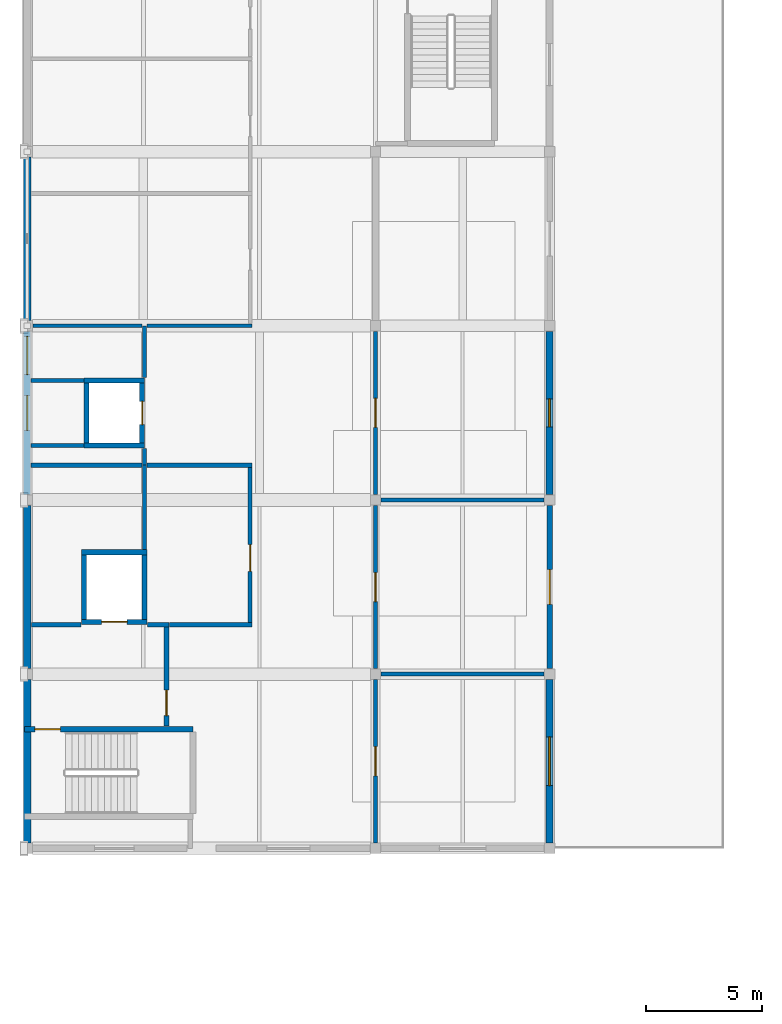
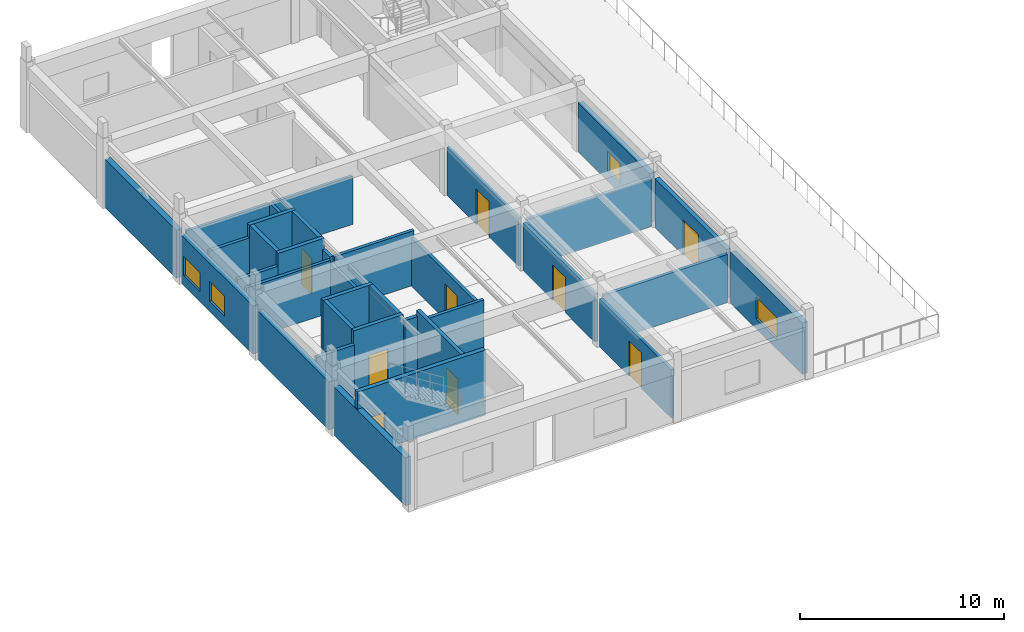
# One storey, part 36 of 51: 35 walls, 9 doors, 4 windows, 13 openings.
"""IFC4 building model written with IfcOpenShell, lengths in metres."""

from ifc_helpers import new_model, si_unit, direction, frame, frame_2d, origin, place, context, subcontext, project, spatial, rectangle, extrude, material, layer, layer_set, type_object, element, fill, save


model = new_model("IFC4")

# Units and contexts
model_context = context("Model", 3, precision=1e-05, world=origin(), true_north=direction((0.0, 1.0)))
body_context = subcontext(model_context, "Body", "Model", "MODEL_VIEW")
ifc_project = project(units=[si_unit("LENGTHUNIT", "METRE"), si_unit("AREAUNIT", "SQUARE_METRE"), si_unit("VOLUMEUNIT", "CUBIC_METRE"), si_unit("PLANEANGLEUNIT", "RADIAN"), si_unit("MASSUNIT", "GRAM", prefix="KILO")], contexts=[model_context])

# Site, building, storey
site_placement = place(None, origin())
site = spatial("IfcSite", under=ifc_project, at=site_placement, CompositionType="ELEMENT")
building_placement = place(site_placement, origin())
building = spatial("IfcBuilding", under=site, at=building_placement, Name="Qasida Concert Hall", CompositionType="ELEMENT")
storey_placement = place(building_placement, frame((0.0, 0.0, 21.0)))
storey = spatial("IfcBuildingStorey", under=building, at=storey_placement, Name="L05", CompositionType="ELEMENT", Elevation=21.0)

# Walls
ifc_material_1 = material(Name="Concrete C40/50", Category="concrete")
ifc_layer_1 = layer(ifc_material_1, 0.219970703125, Name="Concrete C40/50")
ifc_layer_set_1 = layer_set([ifc_layer_1], Name="Concrete C40/50")
wall_type_1 = type_object("IfcWallType", Name="WL-CW-220", PredefinedType="SOLIDWALL", material=ifc_layer_set_1)
for number, where, z_axis, x_axis, name in (
    (1, (2.43994140625, 92.35009765625, 0.0), (0.0, 0.0, 1.0), (1.0, 0.0, 0.0), "L05 LF-07 lift shaft wall S"),
    (2, (2.43994140625, 95.14990234375, 0.0), (0.0, 0.0, 1.0), (1.0, 0.0, 0.0), "L05 LF-07 lift shaft wall N"),
):
    element("IfcWall", number, at=place(storey_placement, frame(where, z_axis=z_axis, x_axis=x_axis)), inside=storey, type_object=wall_type_1, Name=name, PredefinedType="SOLIDWALL", context=body_context, shape_type="SweptSolid", body=[
        extrude(rectangle(XDim=2.6201171875, YDim=0.219970703125, at=frame_2d((1.31005859375, 0.0))), origin(), (0.0, 0.0, 1.0), 3.919921875),
    ])
wall_1_placement = place(storey_placement, frame((2.550048828125, 92.4599609375, 0.0), z_axis=(0.0, 0.0, 1.0), x_axis=(0.0, 1.0, 0.0)))
element("IfcWall", 3, at=wall_1_placement, inside=storey, type_object=wall_type_1, Name="L05 LF-07 lift shaft wall W", PredefinedType="SOLIDWALL", context=body_context, shape_type="SweptSolid", body=[
    extrude(rectangle(XDim=2.580078125, YDim=0.219970703125, at=frame_2d((1.2900390625, 0.0))), origin(), (0.0, 0.0, 1.0), 3.919921875),
])

# Wall, opening, door
wall_2_placement = place(storey_placement, frame((4.949951171875, 92.4599609375, 0.0), z_axis=(0.0, 0.0, 1.0), x_axis=(0.0, 1.0, 0.0)))
wall_2 = element("IfcWall", 4, at=wall_2_placement, inside=storey, type_object=wall_type_1, Name="L05 LF-07 lift shaft wall E", PredefinedType="SOLIDWALL", context=body_context, shape_type="SweptSolid", body=[
    extrude(rectangle(XDim=2.580078125, YDim=0.219970703125, at=frame_2d((1.2900390625, 0.0))), origin(), (0.0, 0.0, 1.0), 3.919921875),
])
opening_1_placement = place(wall_2_placement, frame((0.7900390625, 0.0, 0.0)))
opening_1 = element("IfcOpeningElement", 5, at=opening_1_placement, cuts=wall_2, Name="Opening LD-100", PredefinedType="OPENING", context=body_context, shape_type="SweptSolid", body=[
    extrude(rectangle(XDim=1.0, YDim=2.14990234375, at=frame_2d((0.5, 1.074951171875))), frame((0.0, 0.119873046875, 0.0), z_axis=(0.0, -1.0, 0.0), x_axis=(1.0, 0.0, 0.0)), (0.0, 0.0, 1.0), 0.239990234375),
])
ifc_material_2 = material(Name="Brushed bronze passenger lift landing door", Category="steel")
door_type_1 = type_object("IfcDoorType", Name="LD-100", OperationType="SLIDING_TO_LEFT", PredefinedType="DOOR", material=ifc_material_2)
door_1_placement = place(opening_1_placement, origin())
door_1 = element("IfcDoor", 6, at=door_1_placement, inside=storey, type_object=door_type_1, Name="Lift landing door LF-07 L05", OperationType="SLIDING_TO_LEFT", OverallHeight=2.14990234375, OverallWidth=1.0, PredefinedType="DOOR", context=body_context, shape_type="SweptSolid", body=[
    extrude(rectangle(XDim=1.0, YDim=2.14990234375, at=frame_2d((0.5, 1.074951171875))), frame((0.0, 0.02490234375, 0.0), z_axis=(0.0, -1.0, 0.0), x_axis=(1.0, 0.0, 0.0)), (0.0, 0.0, 1.0), 0.050048828125),
])
fill(opening_1, door_1)

wall_3_placement = place(storey_placement, frame((2.340087890625, 84.75, 0.0), z_axis=(0.0, 0.0, 1.0), x_axis=(1.0, 0.0, 0.0)))
wall_3 = element("IfcWall", 7, at=wall_3_placement, inside=storey, type_object=wall_type_1, Name="L05 LF-08 lift shaft wall S", PredefinedType="SOLIDWALL", context=body_context, shape_type="SweptSolid", body=[
    extrude(rectangle(XDim=2.81982421875, YDim=0.219970703125, at=frame_2d((1.409912109375, 0.0))), origin(), (0.0, 0.0, 1.0), 3.919921875),
])
opening_2_placement = place(wall_3_placement, frame((0.860107421875, 0.0, 0.0)))
opening_2 = element("IfcOpeningElement", 8, at=opening_2_placement, cuts=wall_3, Name="Opening LD-110", PredefinedType="OPENING", context=body_context, shape_type="SweptSolid", body=[
    extrude(rectangle(XDim=1.10009765625, YDim=2.14990234375, at=frame_2d((0.550048828125, 1.074951171875))), frame((0.0, 0.119873046875, 0.0), z_axis=(0.0, -1.0, 0.0), x_axis=(1.0, 0.0, 0.0)), (0.0, 0.0, 1.0), 0.239990234375),
])
ifc_material_3 = material(Name="Firefighting lift sliding landing door", Category="steel")
door_type_2 = type_object("IfcDoorType", Name="LD-110", OperationType="SLIDING_TO_LEFT", PredefinedType="DOOR", material=ifc_material_3)
door_2_placement = place(opening_2_placement, origin())
door_2 = element("IfcDoor", 9, at=door_2_placement, inside=storey, type_object=door_type_2, Name="Lift landing door LF-08 L05", OperationType="SLIDING_TO_LEFT", OverallHeight=2.14990234375, OverallWidth=1.10009765625, PredefinedType="DOOR", context=body_context, shape_type="SweptSolid", body=[
    extrude(rectangle(XDim=1.10009765625, YDim=2.14990234375, at=frame_2d((0.550048828125, 1.074951171875))), frame((0.0, 0.02490234375, 0.0), z_axis=(0.0, -1.0, 0.0), x_axis=(1.0, 0.0, 0.0)), (0.0, 0.0, 1.0), 0.050048828125),
])
fill(opening_2, door_2)

# Walls
wall_4_placement = place(storey_placement, frame((2.340087890625, 87.75, 0.0), z_axis=(0.0, 0.0, 1.0), x_axis=(1.0, 0.0, 0.0)))
element("IfcWall", 10, at=wall_4_placement, inside=storey, type_object=wall_type_1, Name="L05 LF-08 lift shaft wall N", PredefinedType="SOLIDWALL", context=body_context, shape_type="SweptSolid", body=[
    extrude(rectangle(XDim=2.81982421875, YDim=0.219970703125, at=frame_2d((1.409912109375, 0.0))), origin(), (0.0, 0.0, 1.0), 3.919921875),
])
for number, where, z_axis, x_axis, name in (
    (11, (2.449951171875, 84.860107421875, 0.0), (0.0, 0.0, 1.0), (0.0, 1.0, 0.0), "L05 LF-08 lift shaft wall W"),
    (12, (5.050048828125, 84.860107421875, 0.0), (0.0, 0.0, 1.0), (0.0, 1.0, 0.0), "L05 LF-08 lift shaft wall E"),
):
    element("IfcWall", number, at=place(storey_placement, frame(where, z_axis=z_axis, x_axis=x_axis)), inside=storey, type_object=wall_type_1, Name=name, PredefinedType="SOLIDWALL", context=body_context, shape_type="SweptSolid", body=[
        extrude(rectangle(XDim=2.77978515625, YDim=0.219970703125, at=frame_2d((1.389892578125, 0.0))), origin(), (0.0, 0.0, 1.0), 3.919921875),
    ])

# Wall, opening, door
wall_5_placement = place(storey_placement, frame((6.0, 80.260009765625, 0.0), z_axis=(0.0, 0.0, 1.0), x_axis=(0.0, 1.0, 0.0)))
wall_5 = element("IfcWall", 13, at=wall_5_placement, inside=storey, type_object=wall_type_1, Name="L05 LF-08 firefighting lobby wall", PredefinedType="SOLIDWALL", context=body_context, shape_type="SweptSolid", body=[
    extrude(rectangle(XDim=4.369873046875, YDim=0.219970703125, at=frame_2d((2.18505859375, 0.0))), origin(), (0.0, 0.0, 1.0), 3.919921875),
])
opening_3_placement = place(wall_5_placement, frame((0.449951171875, 0.0, 0.0)))
opening_3 = element("IfcOpeningElement", 14, at=opening_3_placement, cuts=wall_5, Name="Opening FD-110", PredefinedType="OPENING", context=body_context, shape_type="SweptSolid", body=[
    extrude(rectangle(XDim=1.10009765625, YDim=2.14990234375, at=frame_2d((0.550048828125, 1.074951171875))), frame((0.0, 0.119873046875, 0.0), z_axis=(0.0, -1.0, 0.0), x_axis=(1.0, 0.0, 0.0)), (0.0, 0.0, 1.0), 0.239990234375),
])
ifc_material_4 = material(Name="Steel fire-rated stair/lobby door set", Category="steel")
door_type_3 = type_object("IfcDoorType", Name="FD-110", OperationType="NOTDEFINED", PredefinedType="DOOR", material=ifc_material_4)
door_3_placement = place(opening_3_placement, origin())
door_3 = element("IfcDoor", 15, at=door_3_placement, inside=storey, type_object=door_type_3, Name="L05 LF-08 firefighting lobby fire door", OperationType="SINGLE_SWING_RIGHT", OverallHeight=2.14990234375, OverallWidth=1.10009765625, PredefinedType="DOOR", context=body_context, shape_type="SweptSolid", body=[
    extrude(rectangle(XDim=1.10009765625, YDim=2.14990234375, at=frame_2d((0.550048828125, 1.074951171875))), frame((0.0, 0.02490234375, 0.0), z_axis=(0.0, -1.0, 0.0), x_axis=(1.0, 0.0, 0.0)), (0.0, 0.0, 1.0), 0.050048828125),
])
fill(opening_3, door_3)

ifc_layer_2 = layer(ifc_material_1, 0.25, Name="Concrete C40/50")
ifc_layer_set_2 = layer_set([ifc_layer_2], Name="Concrete C40/50")
wall_type_2 = type_object("IfcWallType", Name="WL-CW-250", PredefinedType="SOLIDWALL", material=ifc_layer_set_2)
wall_6_placement = place(storey_placement, frame((-0.1201171875, 80.125, 0.0), z_axis=(0.0, 0.0, 1.0), x_axis=(1.0, 0.0, 0.0)))
wall_6 = element("IfcWall", 16, at=wall_6_placement, inside=storey, type_object=wall_type_2, Name="L05 ST-05 stairwell wall N", PredefinedType="SOLIDWALL", context=body_context, shape_type="SweptSolid", body=[
    extrude(rectangle(XDim=7.260009765625, YDim=0.25, at=frame_2d((3.6298828125, 0.0))), origin(), (0.0, 0.0, 1.0), 3.919921875),
])
opening_4_placement = place(wall_6_placement, frame((0.449951171875, 0.0, 0.0)))
opening_4 = element("IfcOpeningElement", 17, at=opening_4_placement, cuts=wall_6, Name="Opening FD-110", PredefinedType="OPENING", context=body_context, shape_type="SweptSolid", body=[
    extrude(rectangle(XDim=1.10009765625, YDim=2.14990234375, at=frame_2d((0.550048828125, 1.074951171875))), frame((0.0, 0.135009765625, 0.0), z_axis=(0.0, -1.0, 0.0), x_axis=(1.0, 0.0, 0.0)), (0.0, 0.0, 1.0), 0.27001953125),
])
door_4_placement = place(opening_4_placement, origin())
door_4 = element("IfcDoor", 18, at=door_4_placement, inside=storey, type_object=door_type_3, Name="L05 ST-05 rated stair door", OperationType="SINGLE_SWING_LEFT", OverallHeight=2.14990234375, OverallWidth=1.10009765625, PredefinedType="DOOR", context=body_context, shape_type="SweptSolid", body=[
    extrude(rectangle(XDim=1.10009765625, YDim=2.14990234375, at=frame_2d((0.550048828125, 1.074951171875))), frame((0.0, 0.02490234375, 0.0), z_axis=(0.0, -1.0, 0.0), x_axis=(1.0, 0.0, 0.0)), (0.0, 0.0, 1.0), 0.050048828125),
])
fill(opening_4, door_4)

ifc_material_5 = material(Name="Precast concrete C40/50", Category="concrete")
ifc_layer_3 = layer(ifc_material_5, 0.239990234375, Name="Precast concrete C40/50")
ifc_layer_set_3 = layer_set([ifc_layer_3], Name="Precast concrete C40/50")
wall_type_3 = type_object("IfcWallType", Name="WL-EW-240", PredefinedType="SOLIDWALL", material=ifc_layer_set_3)
wall_7_placement = place(storey_placement, frame((22.5, 82.735107421875, 0.0), z_axis=(0.0, 0.0, 1.0), x_axis=(0.0, 1.0, 0.0)))
wall_7 = element("IfcWall", 19, at=wall_7_placement, inside=storey, type_object=wall_type_3, Name="L05 exterior wall EW-240 0319", PredefinedType="SOLIDWALL", context=body_context, shape_type="SweptSolid", body=[
    extrude(rectangle(XDim=7.02978515625, YDim=0.239990234375, at=frame_2d((3.514892578125, 0.0))), origin(), (0.0, 0.0, 1.0), 2.93994140625),
])
opening_5_placement = place(wall_7_placement, frame((2.764892578125, 0.0, 0.0)))
opening_5 = element("IfcOpeningElement", 20, at=opening_5_placement, cuts=wall_7, Name="Opening TD-150", PredefinedType="OPENING", context=body_context, shape_type="SweptSolid", body=[
    extrude(rectangle(XDim=1.5, YDim=2.14990234375, at=frame_2d((0.75, 1.074951171875))), frame((0.0, 0.1298828125, 0.0), z_axis=(0.0, -1.0, 0.0), x_axis=(1.0, 0.0, 0.0)), (0.0, 0.0, 1.0), 0.260009765625),
])
ifc_material_6 = material(Name="Patinated architectural bronze and laminated safety glass", Category="glass")
door_type_4 = type_object("IfcDoorType", Name="TD-150", OperationType="NOTDEFINED", PredefinedType="DOOR", material=ifc_material_6)
door_5_placement = place(opening_5_placement, frame((1.5, 0.0, 0.0), z_axis=(0.0, 0.0, 1.0), x_axis=(-1.0, 0.0, 0.0)))
door_5 = element("IfcDoor", 21, at=door_5_placement, inside=storey, type_object=door_type_4, Name="L05 west wing roof garden terrace door 1", OperationType="SINGLE_SWING_LEFT", OverallHeight=2.14990234375, OverallWidth=1.5, PredefinedType="DOOR", context=body_context, shape_type="SweptSolid", body=[
    extrude(rectangle(XDim=1.5, YDim=2.14990234375, at=frame_2d((0.75, 1.074951171875))), frame((0.0, 0.02490234375, 0.0), z_axis=(0.0, -1.0, 0.0), x_axis=(1.0, 0.0, 0.0)), (0.0, 0.0, 1.0), 0.050048828125),
])
fill(opening_5, door_5)

# Wall, opening, window
ifc_layer_4 = layer(ifc_material_5, 0.300048828125, Name="Precast concrete C40/50")
ifc_layer_set_4 = layer_set([ifc_layer_4], Name="Precast concrete C40/50")
wall_type_4 = type_object("IfcWallType", Name="WL-EW-300", PredefinedType="SOLIDWALL", material=ifc_layer_set_4)
wall_8_placement = place(storey_placement, frame((22.5, 75.235107421875, 0.0), z_axis=(0.0, 0.0, 1.0), x_axis=(0.0, 1.0, 0.0)))
wall_8 = element("IfcWall", 22, at=wall_8_placement, inside=storey, type_object=wall_type_4, Name="L05 exterior wall EW-300 0317", PredefinedType="SOLIDWALL", context=body_context, shape_type="SweptSolid", body=[
    extrude(rectangle(XDim=7.02978515625, YDim=0.300048828125, at=frame_2d((3.514892578125, 0.0))), origin(), (0.0, 0.0, 1.0), 3.090087890625),
])
opening_6_placement = place(wall_8_placement, frame((2.465087890625, 0.0, 0.60009765625)))
opening_6 = element("IfcOpeningElement", 23, at=opening_6_placement, cuts=wall_8, Name="Opening WN-15", PredefinedType="OPENING", context=body_context, shape_type="SweptSolid", body=[
    extrude(rectangle(XDim=2.10009765625, YDim=1.300048828125, at=frame_2d((1.050048828125, 0.64990234375))), frame((0.0, 0.159912109375, 0.0), z_axis=(0.0, -1.0, 0.0), x_axis=(1.0, 0.0, 0.0)), (0.0, 0.0, 1.0), 0.320068359375),
])
ifc_material_7 = material(Name="Bronze-anodized aluminium frame with acoustic low-E glazing", Category="aluminium")
window_type_1 = type_object("IfcWindowType", Name="WN-15", PartitioningType="SINGLE_PANEL", PredefinedType="WINDOW", material=ifc_material_7)
window_1_placement = place(opening_6_placement, origin())
window_1 = element("IfcWindow", 24, at=window_1_placement, inside=storey, type_object=window_type_1, Name="L05 window WN-15 0176", OverallHeight=1.300048828125, OverallWidth=2.10009765625, PartitioningType="SINGLE_PANEL", PredefinedType="WINDOW", context=body_context, shape_type="SweptSolid", body=[
    extrude(rectangle(XDim=2.10009765625, YDim=1.300048828125, at=frame_2d((1.050048828125, 0.64990234375))), frame((0.0, 0.030029296875, 0.0), z_axis=(0.0, -1.0, 0.0), x_axis=(1.0, 0.0, 0.0)), (0.0, 0.0, 1.0), 0.06005859375),
])
fill(opening_6, window_1)

# Wall, openings, windows
wall_9_placement = place(storey_placement, frame((0.0, 90.235107421875, 0.0), z_axis=(0.0, 0.0, 1.0), x_axis=(0.0, 1.0, 0.0)))
wall_9 = element("IfcWall", 25, at=wall_9_placement, inside=storey, type_object=wall_type_4, Name="L05 exterior wall EW-300 0320", PredefinedType="SOLIDWALL", context=body_context, shape_type="SweptSolid", body=[
    extrude(rectangle(XDim=7.02978515625, YDim=0.300048828125, at=frame_2d((3.514892578125, 0.0))), origin(), (0.0, 0.0, 1.0), 2.889892578125),
])
opening_7_placement = place(wall_9_placement, frame((2.764892578125, 0.0, 0.60009765625)))
opening_7 = element("IfcOpeningElement", 26, at=opening_7_placement, cuts=wall_9, Name="Opening WN-18", PredefinedType="OPENING", context=body_context, shape_type="SweptSolid", body=[
    extrude(rectangle(XDim=1.5, YDim=1.199951171875, at=frame_2d((0.75, 0.60009765625))), frame((0.0, 0.159912109375, 0.0), z_axis=(0.0, -1.0, 0.0), x_axis=(1.0, 0.0, 0.0)), (0.0, 0.0, 1.0), 0.320068359375),
])
opening_8_placement = place(wall_9_placement, frame((5.16259765625, 0.0, 0.60009765625)))
opening_8 = element("IfcOpeningElement", 27, at=opening_8_placement, cuts=wall_9, Name="Opening WN-24", PredefinedType="OPENING", context=body_context, shape_type="SweptSolid", body=[
    extrude(rectangle(XDim=1.64990234375, YDim=1.14990234375, at=frame_2d((0.824951171875, 0.574951171875))), frame((0.0, 0.159912109375, 0.0), z_axis=(0.0, -1.0, 0.0), x_axis=(1.0, 0.0, 0.0)), (0.0, 0.0, 1.0), 0.320068359375),
])
window_type_2 = type_object("IfcWindowType", Name="WN-18", PartitioningType="SINGLE_PANEL", PredefinedType="WINDOW", material=ifc_material_7)
window_2_placement = place(opening_7_placement, origin())
window_2 = element("IfcWindow", 28, at=window_2_placement, inside=storey, type_object=window_type_2, Name="L05 window WN-18 0177", OverallHeight=1.199951171875, OverallWidth=1.5, PartitioningType="SINGLE_PANEL", PredefinedType="WINDOW", context=body_context, shape_type="SweptSolid", body=[
    extrude(rectangle(XDim=1.5, YDim=1.199951171875, at=frame_2d((0.75, 0.60009765625))), frame((0.0, 0.030029296875, 0.0), z_axis=(0.0, -1.0, 0.0), x_axis=(1.0, 0.0, 0.0)), (0.0, 0.0, 1.0), 0.06005859375),
])
fill(opening_7, window_2)
window_type_3 = type_object("IfcWindowType", Name="WN-24", PartitioningType="SINGLE_PANEL", PredefinedType="WINDOW", material=ifc_material_7)
window_3_placement = place(opening_8_placement, origin())
window_3 = element("IfcWindow", 29, at=window_3_placement, inside=storey, type_object=window_type_3, Name="L05 window WN-24 0178", OverallHeight=1.14990234375, OverallWidth=1.64990234375, PartitioningType="SINGLE_PANEL", PredefinedType="WINDOW", context=body_context, shape_type="SweptSolid", body=[
    extrude(rectangle(XDim=1.64990234375, YDim=1.14990234375, at=frame_2d((0.824951171875, 0.574951171875))), frame((0.0, 0.030029296875, 0.0), z_axis=(0.0, -1.0, 0.0), x_axis=(1.0, 0.0, 0.0)), (0.0, 0.0, 1.0), 0.06005859375),
])
fill(opening_8, window_3)

# Wall, opening, window
wall_10_placement = place(storey_placement, frame((22.5, 90.235107421875, 0.0), z_axis=(0.0, 0.0, 1.0), x_axis=(0.0, 1.0, 0.0)))
wall_10 = element("IfcWall", 30, at=wall_10_placement, inside=storey, type_object=wall_type_4, Name="L05 exterior wall EW-300 0321", PredefinedType="SOLIDWALL", context=body_context, shape_type="SweptSolid", body=[
    extrude(rectangle(XDim=7.02978515625, YDim=0.300048828125, at=frame_2d((3.514892578125, 0.0))), origin(), (0.0, 0.0, 1.0), 2.93994140625),
])
opening_9_placement = place(wall_10_placement, frame((2.9150390625, 0.0, 0.60009765625)))
opening_9 = element("IfcOpeningElement", 31, at=opening_9_placement, cuts=wall_10, Name="Opening WN-17", PredefinedType="OPENING", context=body_context, shape_type="SweptSolid", body=[
    extrude(rectangle(XDim=1.199951171875, YDim=1.199951171875, at=frame_2d((0.60009765625, 0.60009765625))), frame((0.0, 0.159912109375, 0.0), z_axis=(0.0, -1.0, 0.0), x_axis=(1.0, 0.0, 0.0)), (0.0, 0.0, 1.0), 0.320068359375),
])
window_type_4 = type_object("IfcWindowType", Name="WN-17", PartitioningType="SINGLE_PANEL", PredefinedType="WINDOW", material=ifc_material_7)
window_4_placement = place(opening_9_placement, origin())
window_4 = element("IfcWindow", 32, at=window_4_placement, inside=storey, type_object=window_type_4, Name="L05 window WN-17 0179", OverallHeight=1.199951171875, OverallWidth=1.199951171875, PartitioningType="SINGLE_PANEL", PredefinedType="WINDOW", context=body_context, shape_type="SweptSolid", body=[
    extrude(rectangle(XDim=1.199951171875, YDim=1.199951171875, at=frame_2d((0.60009765625, 0.60009765625))), frame((0.0, 0.030029296875, 0.0), z_axis=(0.0, -1.0, 0.0), x_axis=(1.0, 0.0, 0.0)), (0.0, 0.0, 1.0), 0.06005859375),
])
fill(opening_9, window_4)

# Walls
ifc_layer_5 = layer(ifc_material_5, 0.320068359375, Name="Precast concrete C40/50")
ifc_layer_set_5 = layer_set([ifc_layer_5], Name="Precast concrete C40/50")
wall_type_5 = type_object("IfcWallType", Name="WL-EW-320", PredefinedType="SOLIDWALL", material=ifc_layer_set_5)
for number, where, z_axis, x_axis, name in (
    (33, (0.0, 75.235107421875, 0.0), (0.0, 0.0, 1.0), (0.0, 1.0, 0.0), "L05 exterior wall EW-320 0316"),
    (34, (0.0, 82.735107421875, 0.0), (0.0, 0.0, 1.0), (0.0, 1.0, 0.0), "L05 exterior wall EW-320 0318"),
    (35, (0.0, 97.735107421875, 0.0), (0.0, 0.0, 1.0), (0.0, 1.0, 0.0), "L05 exterior wall EW-320 0322"),
):
    element("IfcWall", number, at=place(storey_placement, frame(where, z_axis=z_axis, x_axis=x_axis)), inside=storey, type_object=wall_type_5, Name=name, PredefinedType="SOLIDWALL", context=body_context, shape_type="SweptSolid", body=[
        extrude(rectangle(XDim=7.02978515625, YDim=0.320068359375, at=frame_2d((3.514892578125, 0.0))), origin(), (0.0, 0.0, 1.0), 2.889892578125),
    ])
ifc_material_8 = material(Name="Moisture-resistant gypsum partition", Category="gypsum")
ifc_layer_6 = layer(ifc_material_8, 0.159912109375, Name="Moisture-resistant gypsum partition")
ifc_layer_set_6 = layer_set([ifc_layer_6], Name="Moisture-resistant gypsum partition")
wall_type_6 = type_object("IfcWallType", Name="WL-PW-160", PredefinedType="PARTITIONING", material=ifc_layer_set_6)
wall_11_placement = place(storey_placement, frame((0.239013671875, 97.5, 0.0), z_axis=(0.0, 0.0, 1.0), x_axis=(1.0, 0.0, 0.0)))
element("IfcWall", 36, at=wall_11_placement, inside=storey, type_object=wall_type_6, Name="L05 partition PW-160 0384", PredefinedType="PARTITIONING", context=body_context, shape_type="SweptSolid", body=[
    extrude(rectangle(XDim=4.70703125, YDim=0.159912109375, at=frame_2d((2.353515625, 0.0))), origin(), (0.0, 0.0, 1.0), 2.889892578125),
])
wall_12_placement = place(storey_placement, frame((5.154052734375, 97.5, 0.0), z_axis=(0.0, 0.0, 1.0), x_axis=(1.0, 0.0, 0.0)))
element("IfcWall", 37, at=wall_12_placement, inside=storey, type_object=wall_type_6, Name="L05 partition PW-160 0385", PredefinedType="PARTITIONING", context=body_context, shape_type="SweptSolid", body=[
    extrude(rectangle(XDim=4.52587890625, YDim=0.159912109375, at=frame_2d((2.262939453125, 0.0))), origin(), (0.0, 0.0, 1.0), 2.889892578125),
])
ifc_material_9 = material(Name="Acoustic metal-stud gypsum partition", Category="gypsum")
ifc_layer_7 = layer(ifc_material_9, 0.179931640625, Name="Acoustic metal-stud gypsum partition")
ifc_layer_set_7 = layer_set([ifc_layer_7], Name="Acoustic metal-stud gypsum partition")
wall_type_7 = type_object("IfcWallType", Name="WL-PW-180", PredefinedType="PARTITIONING", material=ifc_layer_set_7)
wall_13_placement = place(storey_placement, frame((5.050048828125, 87.8740234375, 0.0), z_axis=(0.0, 0.0, 1.0), x_axis=(0.0, 1.0, 0.0)))
element("IfcWall", 38, at=wall_13_placement, inside=storey, type_object=wall_type_7, Name="L05 partition PW-180 0375", PredefinedType="PARTITIONING", context=body_context, shape_type="SweptSolid", body=[
    extrude(rectangle(XDim=3.6259765625, YDim=0.179931640625, at=frame_2d((1.81298828125, 0.0))), origin(), (0.0, 0.0, 1.0), 2.889892578125),
])
wall_14_placement = place(storey_placement, frame((6.1240234375, 84.6298828125, 0.0), z_axis=(0.0, 0.0, 1.0), x_axis=(1.0, 0.0, 0.0)))
element("IfcWall", 39, at=wall_14_placement, inside=storey, type_object=wall_type_7, Name="L05 partition PW-180 0376", PredefinedType="PARTITIONING", context=body_context, shape_type="SweptSolid", body=[
    extrude(rectangle(XDim=3.555908203125, YDim=0.179931640625, at=frame_2d((1.77783203125, 0.0))), origin(), (0.0, 0.0, 1.0), 3.27001953125),
])
wall_15_placement = place(storey_placement, frame((0.1640625, 91.5, 0.0), z_axis=(0.0, 0.0, 1.0), x_axis=(1.0, 0.0, 0.0)))
element("IfcWall", 40, at=wall_15_placement, inside=storey, type_object=wall_type_7, Name="L05 partition PW-180 0377", PredefinedType="PARTITIONING", context=body_context, shape_type="SweptSolid", body=[
    extrude(rectangle(XDim=4.781982421875, YDim=0.179931640625, at=frame_2d((2.39111328125, 0.0))), origin(), (0.0, 0.0, 1.0), 3.139892578125),
])
wall_16_placement = place(storey_placement, frame((5.154052734375, 91.5, 0.0), z_axis=(0.0, 0.0, 1.0), x_axis=(1.0, 0.0, 0.0)))
element("IfcWall", 41, at=wall_16_placement, inside=storey, type_object=wall_type_7, Name="L05 partition PW-180 0378", PredefinedType="PARTITIONING", context=body_context, shape_type="SweptSolid", body=[
    extrude(rectangle(XDim=4.52587890625, YDim=0.179931640625, at=frame_2d((2.262939453125, 0.0))), origin(), (0.0, 0.0, 1.0), 3.27001953125),
])

# Wall, opening, door
wall_17_placement = place(storey_placement, frame((9.60009765625, 84.73388671875, 0.0), z_axis=(0.0, 0.0, 1.0), x_axis=(0.0, 1.0, 0.0)))
wall_17 = element("IfcWall", 42, at=wall_17_placement, inside=storey, type_object=wall_type_7, Name="L05 partition PW-180 0379", PredefinedType="PARTITIONING", context=body_context, shape_type="SweptSolid", body=[
    extrude(rectangle(XDim=6.662109375, YDim=0.179931640625, at=frame_2d((3.3310546875, 0.0))), origin(), (0.0, 0.0, 1.0), 2.889892578125),
])
opening_10_placement = place(wall_17_placement, frame((2.19091796875, 0.0, 0.0)))
opening_10 = element("IfcOpeningElement", 43, at=opening_10_placement, cuts=wall_17, Name="Opening ID-115", PredefinedType="OPENING", context=body_context, shape_type="SweptSolid", body=[
    extrude(rectangle(XDim=1.14990234375, YDim=2.139892578125, at=frame_2d((0.574951171875, 1.06982421875))), frame((0.0, 0.099853515625, 0.0), z_axis=(0.0, -1.0, 0.0), x_axis=(1.0, 0.0, 0.0)), (0.0, 0.0, 1.0), 0.199951171875),
])
ifc_material_10 = material(Name="Quarter-sawn oak office door", Category="wood")
door_type_5 = type_object("IfcDoorType", Name="ID-115", OperationType="NOTDEFINED", PredefinedType="DOOR", material=ifc_material_10)
door_6_placement = place(opening_10_placement, origin())
door_6 = element("IfcDoor", 44, at=door_6_placement, inside=storey, type_object=door_type_5, Name="L05 Fellowship seminar room door", OperationType="SINGLE_SWING_LEFT", OverallHeight=2.139892578125, OverallWidth=1.14990234375, PredefinedType="DOOR", context=body_context, shape_type="SweptSolid", body=[
    extrude(rectangle(XDim=1.14990234375, YDim=2.139892578125, at=frame_2d((0.574951171875, 1.06982421875))), frame((0.0, 0.02490234375, 0.0), z_axis=(0.0, -1.0, 0.0), x_axis=(1.0, 0.0, 0.0)), (0.0, 0.0, 1.0), 0.050048828125),
])
fill(opening_10, door_6)

# Walls
for number, where, z_axis, x_axis, name in (
    (45, (0.1640625, 92.35009765625, 0.0), (0.0, 0.0, 1.0), (1.0, 0.0, 0.0), "L05 partition PW-180 0380"),
    (46, (0.1640625, 95.14990234375, 0.0), (0.0, 0.0, 1.0), (1.0, 0.0, 0.0), "L05 partition PW-180 0381"),
):
    element("IfcWall", number, at=place(storey_placement, frame(where, z_axis=z_axis, x_axis=x_axis)), inside=storey, type_object=wall_type_7, Name=name, PredefinedType="PARTITIONING", context=body_context, shape_type="SweptSolid", body=[
        extrude(rectangle(XDim=2.27587890625, YDim=0.179931640625, at=frame_2d((1.137939453125, 0.0))), origin(), (0.0, 0.0, 1.0), 3.139892578125),
    ])
wall_18_placement = place(storey_placement, frame((5.050048828125, 91.5, 0.0), z_axis=(0.0, 0.0, 1.0), x_axis=(0.0, 1.0, 0.0)))
element("IfcWall", 47, at=wall_18_placement, inside=storey, type_object=wall_type_7, Name="L05 partition PW-180 0382", PredefinedType="PARTITIONING", context=body_context, shape_type="SweptSolid", body=[
    extrude(rectangle(XDim=0.72607421875, YDim=0.179931640625, at=frame_2d((0.363037109375, 0.0))), origin(), (0.0, 0.0, 1.0), 3.27001953125),
])
wall_19_placement = place(storey_placement, frame((5.050048828125, 95.27392578125, 0.0), z_axis=(0.0, 0.0, 1.0), x_axis=(0.0, 1.0, 0.0)))
element("IfcWall", 48, at=wall_19_placement, inside=storey, type_object=wall_type_7, Name="L05 partition PW-180 0383", PredefinedType="PARTITIONING", context=body_context, shape_type="SweptSolid", body=[
    extrude(rectangle(XDim=2.22607421875, YDim=0.179931640625, at=frame_2d((1.113037109375, 0.0))), origin(), (0.0, 0.0, 1.0), 2.889892578125),
])
for number, where, z_axis, x_axis, name in (
    (49, (15.239013671875, 82.5, 0.0), (0.0, 0.0, 1.0), (1.0, 0.0, 0.0), "L05 partition PW-180 0392"),
    (50, (15.239013671875, 90.0, 0.0), (0.0, 0.0, 1.0), (1.0, 0.0, 0.0), "L05 partition PW-180 0393"),
):
    element("IfcWall", number, at=place(storey_placement, frame(where, z_axis=z_axis, x_axis=x_axis)), inside=storey, type_object=wall_type_7, Name=name, PredefinedType="PARTITIONING", context=body_context, shape_type="SweptSolid", body=[
        extrude(rectangle(XDim=7.02197265625, YDim=0.179931640625, at=frame_2d((3.510986328125, 0.0))), origin(), (0.0, 0.0, 1.0), 2.889892578125),
    ])

# Wall, opening, door
wall_20_placement = place(storey_placement, frame((15.0, 75.239013671875, 0.0), z_axis=(0.0, 0.0, 1.0), x_axis=(0.0, 1.0, 0.0)))
wall_20 = element("IfcWall", 51, at=wall_20_placement, inside=storey, type_object=wall_type_7, Name="L05 partition PW-180 0394", PredefinedType="PARTITIONING", context=body_context, shape_type="SweptSolid", body=[
    extrude(rectangle(XDim=7.02197265625, YDim=0.179931640625, at=frame_2d((3.510986328125, 0.0))), origin(), (0.0, 0.0, 1.0), 2.889892578125),
])
opening_11_placement = place(wall_20_placement, frame((2.885986328125, 0.0, 0.0)))
opening_11 = element("IfcOpeningElement", 52, at=opening_11_placement, cuts=wall_20, Name="Opening ID-125", PredefinedType="OPENING", context=body_context, shape_type="SweptSolid", body=[
    extrude(rectangle(XDim=1.25, YDim=2.139892578125, at=frame_2d((0.625, 1.06982421875))), frame((0.0, 0.099853515625, 0.0), z_axis=(0.0, -1.0, 0.0), x_axis=(1.0, 0.0, 0.0)), (0.0, 0.0, 1.0), 0.199951171875),
])
ifc_material_11 = material(Name="Quarter-sawn oak archive door", Category="wood")
door_type_6 = type_object("IfcDoorType", Name="ID-125", OperationType="NOTDEFINED", PredefinedType="DOOR", material=ifc_material_11)
door_7_placement = place(opening_11_placement, origin())
door_7 = element("IfcDoor", 53, at=door_7_placement, inside=storey, type_object=door_type_6, Name="L05 Artistic direction suite door", OperationType="SINGLE_SWING_LEFT", OverallHeight=2.139892578125, OverallWidth=1.25, PredefinedType="DOOR", context=body_context, shape_type="SweptSolid", body=[
    extrude(rectangle(XDim=1.25, YDim=2.139892578125, at=frame_2d((0.625, 1.06982421875))), frame((0.0, 0.02490234375, 0.0), z_axis=(0.0, -1.0, 0.0), x_axis=(1.0, 0.0, 0.0)), (0.0, 0.0, 1.0), 0.050048828125),
])
fill(opening_11, door_7)

wall_21_placement = place(storey_placement, frame((15.0, 82.739013671875, 0.0), z_axis=(0.0, 0.0, 1.0), x_axis=(0.0, 1.0, 0.0)))
wall_21 = element("IfcWall", 54, at=wall_21_placement, inside=storey, type_object=wall_type_7, Name="L05 partition PW-180 0395", PredefinedType="PARTITIONING", context=body_context, shape_type="SweptSolid", body=[
    extrude(rectangle(XDim=7.02197265625, YDim=0.179931640625, at=frame_2d((3.510986328125, 0.0))), origin(), (0.0, 0.0, 1.0), 2.889892578125),
])
opening_12_placement = place(wall_21_placement, frame((2.885986328125, 0.0, 0.0)))
opening_12 = element("IfcOpeningElement", 55, at=opening_12_placement, cuts=wall_21, Name="Opening ID-125", PredefinedType="OPENING", context=body_context, shape_type="SweptSolid", body=[
    extrude(rectangle(XDim=1.25, YDim=2.139892578125, at=frame_2d((0.625, 1.06982421875))), frame((0.0, 0.099853515625, 0.0), z_axis=(0.0, -1.0, 0.0), x_axis=(1.0, 0.0, 0.0)), (0.0, 0.0, 1.0), 0.199951171875),
])
door_8_placement = place(opening_12_placement, origin())
door_8 = element("IfcDoor", 56, at=door_8_placement, inside=storey, type_object=door_type_6, Name="L05 Endowment boardroom door", OperationType="SINGLE_SWING_RIGHT", OverallHeight=2.139892578125, OverallWidth=1.25, PredefinedType="DOOR", context=body_context, shape_type="SweptSolid", body=[
    extrude(rectangle(XDim=1.25, YDim=2.139892578125, at=frame_2d((0.625, 1.06982421875))), frame((0.0, 0.02490234375, 0.0), z_axis=(0.0, -1.0, 0.0), x_axis=(1.0, 0.0, 0.0)), (0.0, 0.0, 1.0), 0.050048828125),
])
fill(opening_12, door_8)

wall_22_placement = place(storey_placement, frame((15.0, 90.239013671875, 0.0), z_axis=(0.0, 0.0, 1.0), x_axis=(0.0, 1.0, 0.0)))
wall_22 = element("IfcWall", 57, at=wall_22_placement, inside=storey, type_object=wall_type_7, Name="L05 partition PW-180 0396", PredefinedType="PARTITIONING", context=body_context, shape_type="SweptSolid", body=[
    extrude(rectangle(XDim=7.02197265625, YDim=0.179931640625, at=frame_2d((3.510986328125, 0.0))), origin(), (0.0, 0.0, 1.0), 2.889892578125),
])
opening_13_placement = place(wall_22_placement, frame((2.885986328125, 0.0, 0.0)))
opening_13 = element("IfcOpeningElement", 58, at=opening_13_placement, cuts=wall_22, Name="Opening ID-125", PredefinedType="OPENING", context=body_context, shape_type="SweptSolid", body=[
    extrude(rectangle(XDim=1.25, YDim=2.139892578125, at=frame_2d((0.625, 1.06982421875))), frame((0.0, 0.099853515625, 0.0), z_axis=(0.0, -1.0, 0.0), x_axis=(1.0, 0.0, 0.0)), (0.0, 0.0, 1.0), 0.199951171875),
])
door_9_placement = place(opening_13_placement, origin())
door_9 = element("IfcDoor", 59, at=door_9_placement, inside=storey, type_object=door_type_6, Name="L05 Music archive and admin suite door", OperationType="SINGLE_SWING_LEFT", OverallHeight=2.139892578125, OverallWidth=1.25, PredefinedType="DOOR", context=body_context, shape_type="SweptSolid", body=[
    extrude(rectangle(XDim=1.25, YDim=2.139892578125, at=frame_2d((0.625, 1.06982421875))), frame((0.0, 0.02490234375, 0.0), z_axis=(0.0, -1.0, 0.0), x_axis=(1.0, 0.0, 0.0)), (0.0, 0.0, 1.0), 0.050048828125),
])
fill(opening_13, door_9)

# Walls
ifc_material_12 = material(Name="Acoustic gypsum block and mineral wool", Category="gypsum")
ifc_layer_8 = layer(ifc_material_12, 0.199951171875, Name="Acoustic gypsum block and mineral wool")
ifc_layer_set_8 = layer_set([ifc_layer_8], Name="Acoustic gypsum block and mineral wool")
wall_type_8 = type_object("IfcWallType", Name="WL-PW-200", PredefinedType="PARTITIONING", material=ifc_layer_set_8)
wall_23_placement = place(storey_placement, frame((0.179931640625, 84.6298828125, 0.0), z_axis=(0.0, 0.0, 1.0), x_axis=(1.0, 0.0, 0.0)))
element("IfcWall", 60, at=wall_23_placement, inside=storey, type_object=wall_type_8, Name="L05 LF-08 firefighting lobby return wall", PredefinedType="PARTITIONING", context=body_context, shape_type="SweptSolid", body=[
    extrude(rectangle(XDim=2.14501953125, YDim=0.199951171875, at=frame_2d((1.072509765625, 0.0))), origin(), (0.0, 0.0, 1.0), 3.14990234375),
])
wall_24_placement = place(storey_placement, frame((5.175048828125, 84.6298828125, 0.0), z_axis=(0.0, 0.0, 1.0), x_axis=(1.0, 0.0, 0.0)))
element("IfcWall", 61, at=wall_24_placement, inside=storey, type_object=wall_type_8, Name="L05 LF-08 firefighting lobby return wall", PredefinedType="PARTITIONING", context=body_context, shape_type="SweptSolid", body=[
    extrude(rectangle(XDim=0.93505859375, YDim=0.199951171875, at=frame_2d((0.467529296875, 0.0))), origin(), (0.0, 0.0, 1.0), 3.60009765625),
])

save(model, "model.ifc")
